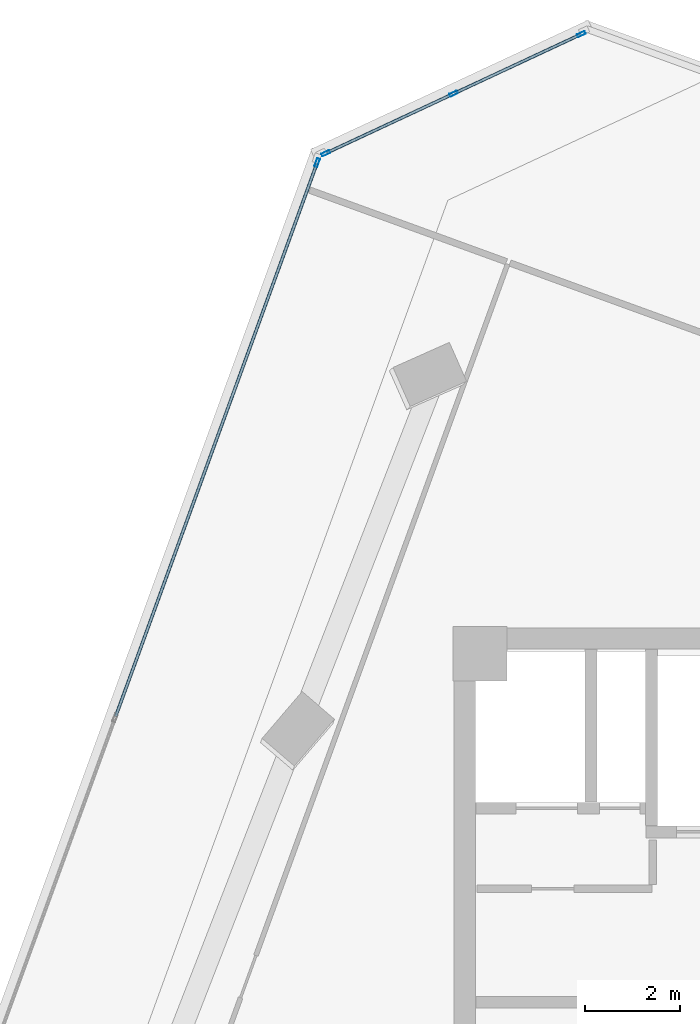
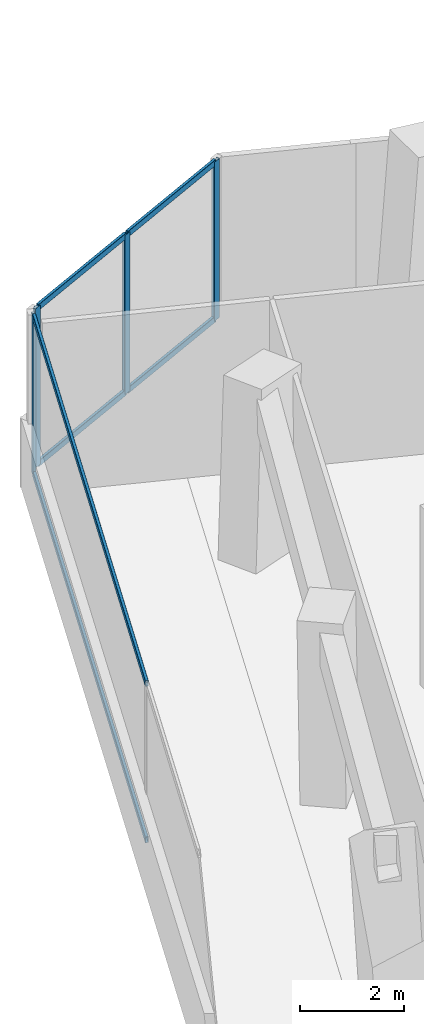
# One storey, part 12 of 21: 10 members, 2 elements without a shape of their own.
"""IFC4 building model written with IfcOpenShell, lengths in metres."""

from ifc_helpers import new_model, si_unit, direction, frame, origin, origin_2d, place, context, subcontext, project, spatial, hollow_rectangle, extrude, source, transform, mapped, material, material_profile, profile_set, type_object, element, aggregate, save


model = new_model("IFC4")

# Units and contexts
model_context = context("Model", 3, precision=1e-05, world=origin(), true_north=direction((0.0, 1.0)))
body_context = subcontext(model_context, "Body", "Model", "MODEL_VIEW")
ifc_project = project(units=[si_unit("LENGTHUNIT", "METRE"), si_unit("AREAUNIT", "SQUARE_METRE"), si_unit("VOLUMEUNIT", "CUBIC_METRE"), si_unit("PLANEANGLEUNIT", "RADIAN"), si_unit("MASSUNIT", "GRAM", prefix="KILO")], contexts=[model_context])

# Site, building, storey
site_placement = place(None, origin())
site = spatial("IfcSite", under=ifc_project, at=site_placement, CompositionType="ELEMENT")
building_placement = place(site_placement, origin())
building = spatial("IfcBuilding", under=site, at=building_placement, Name="Torre Montelarca", CompositionType="ELEMENT")
storey_placement = place(building_placement, frame((0.0, 0.0, 133.0)))
storey = spatial("IfcBuildingStorey", under=building, at=storey_placement, Name="L29", CompositionType="ELEMENT", Elevation=133.0)

# Curtain wall, members
ifc_material_1 = material(Name="Insulated low-E laminated glass", Category="glass")
curtain_wall_type = type_object("IfcCurtainWallType", Name="CW-SYS-Z2", PredefinedType="USERDEFINED", material=ifc_material_1)
curtain_wall_1_placement = place(storey_placement, origin())
curtain_wall_1 = element("IfcCurtainWall", 1, at=curtain_wall_1_placement, inside=storey, type_object=curtain_wall_type, Name="L29 Curtain Wall Run CW-T3-L29-E09-B1", ObjectType="UNITISED GLAZING", PredefinedType="USERDEFINED")
ifc_material_2 = material(Name="Anodised aluminium AA 6063-T6", Category="aluminium")
ifc_material_profile_1 = material_profile(ifc_material_2, hollow_rectangle(XDim=0.06494140625, YDim=0.139892578125, WallThickness=0.00390625, InnerFilletRadius=0.00390625, OuterFilletRadius=0.008056640625, at=origin_2d()), Name="ALU65X140X4", Category="aluminium")
ifc_profile_set_1 = profile_set([ifc_material_profile_1], Name="Anodised aluminium AA 6063-T6")
member_type_1 = type_object("IfcMemberType", Name="CWT-ALU140", PredefinedType="USERDEFINED", material=ifc_profile_set_1)
shared_shape_1 = source(origin(), body_context, "Body", "SweptSolid", [
    extrude(hollow_rectangle(XDim=0.06494140625, YDim=0.139892578125, WallThickness=0.00390625, InnerFilletRadius=0.00390625, OuterFilletRadius=0.008056640625, at=origin_2d()), origin(), (0.0, 0.0, 1.0), 2.91845703125),
])
member_1_placement = place(storey_placement, frame((11.663330078125, 52.54833984375, 0.032470703125), z_axis=(-0.906307055482, -0.422619830561, 0.0), x_axis=(0.422619830561, -0.906307055482, 0.0)))
member_1 = element("IfcMember", 2, at=member_1_placement, type_object=member_type_1, Name="CW transom 1.1", ObjectType="TRANSOM", PredefinedType="USERDEFINED", context=body_context, shape_type="MappedRepresentation", body=[
    mapped(shared_shape_1, transform((0.0, 0.0, 0.0), scale=1.0)),
])
member_2_placement = place(storey_placement, frame((11.663330078125, 52.54833984375, 3.6875), z_axis=(-0.906307055482, -0.422619830561, 0.0), x_axis=(0.422619830561, -0.906307055482, 0.0)))
member_2 = element("IfcMember", 3, at=member_2_placement, type_object=member_type_1, Name="CW transom 1.2", ObjectType="TRANSOM", PredefinedType="USERDEFINED", context=body_context, shape_type="MappedRepresentation", body=[
    mapped(shared_shape_1, transform((0.0, 0.0, 0.0), scale=1.0)),
])
member_3_placement = place(storey_placement, frame((8.959228515625, 51.287353515625, 0.032470703125), z_axis=(-0.906307055482, -0.422619830561, 0.0), x_axis=(0.422619830561, -0.906307055482, 0.0)))
member_3 = element("IfcMember", 4, at=member_3_placement, type_object=member_type_1, Name="CW transom 2.1", ObjectType="TRANSOM", PredefinedType="USERDEFINED", context=body_context, shape_type="MappedRepresentation", body=[
    mapped(shared_shape_1, transform((0.0, 0.0, 0.0), scale=1.0)),
])
member_4_placement = place(storey_placement, frame((8.959228515625, 51.287353515625, 3.6875), z_axis=(-0.906307055482, -0.422619830561, 0.0), x_axis=(0.422619830561, -0.906307055482, 0.0)))
member_4 = element("IfcMember", 5, at=member_4_placement, type_object=member_type_1, Name="CW transom 2.2", ObjectType="TRANSOM", PredefinedType="USERDEFINED", context=body_context, shape_type="MappedRepresentation", body=[
    mapped(shared_shape_1, transform((0.0, 0.0, 0.0), scale=1.0)),
])

curtain_wall_2_placement = place(storey_placement, origin())
curtain_wall_2 = element("IfcCurtainWall", 6, at=curtain_wall_2_placement, inside=storey, type_object=curtain_wall_type, Name="L29 Curtain Wall Run CW-T3-L29-E10-B1", ObjectType="UNITISED GLAZING", PredefinedType="USERDEFINED")
shared_shape_2 = source(origin(), body_context, "Body", "SweptSolid", [
    extrude(hollow_rectangle(XDim=0.06494140625, YDim=0.139892578125, WallThickness=0.00390625, InnerFilletRadius=0.00390625, OuterFilletRadius=0.008056640625, at=origin_2d()), origin(), (0.0, 0.0, 1.0), 12.4365234375),
])
member_5_placement = place(storey_placement, frame((6.09326171875, 49.812744140625, 0.032470703125), z_axis=(-0.342028339507, -0.939689637579, 0.0), x_axis=(0.939689637579, -0.342028339507, 0.0)))
member_5 = element("IfcMember", 7, at=member_5_placement, type_object=member_type_1, Name="CW transom 1.1", ObjectType="TRANSOM", PredefinedType="USERDEFINED", context=body_context, shape_type="MappedRepresentation", body=[
    mapped(shared_shape_2, transform((0.0, 0.0, 0.0), scale=1.0)),
])
member_6_placement = place(storey_placement, frame((6.09326171875, 49.812744140625, 3.6875), z_axis=(-0.342028339507, -0.939689637579, 0.0), x_axis=(0.939689637579, -0.342028339507, 0.0)))
member_6 = element("IfcMember", 8, at=member_6_placement, type_object=member_type_1, Name="CW transom 1.2", ObjectType="TRANSOM", PredefinedType="USERDEFINED", context=body_context, shape_type="MappedRepresentation", body=[
    mapped(shared_shape_2, transform((0.0, 0.0, 0.0), scale=1.0)),
])

# Member
ifc_material_profile_2 = material_profile(ifc_material_2, hollow_rectangle(XDim=0.06494140625, YDim=0.179931640625, WallThickness=0.00390625, InnerFilletRadius=0.00390625, OuterFilletRadius=0.008056640625, at=origin_2d()), Name="ALU65X180X4", Category="aluminium")
ifc_profile_set_2 = profile_set([ifc_material_profile_2], Name="Anodised aluminium AA 6063-T6")
member_type_2 = type_object("IfcMemberType", Name="CWM-ALU180", PredefinedType="MULLION", material=ifc_profile_set_2)
shared_shape_3 = source(origin(), body_context, "Body", "SweptSolid", [
    extrude(hollow_rectangle(XDim=0.06494140625, YDim=0.179931640625, WallThickness=0.00390625, InnerFilletRadius=0.00390625, OuterFilletRadius=0.008056640625, at=origin_2d()), origin(), (0.0, 0.0, 1.0), 3.719970703125),
])
member_7_placement = place(storey_placement, frame((11.69287109375, 52.56201171875, 0.0), z_axis=(0.0, 0.0, 1.0), x_axis=(0.422597755027, -0.906317349192, 0.0)))
member_7 = element("IfcMember", 9, at=member_7_placement, type_object=member_type_2, Name="CW mullion 1", PredefinedType="MULLION", context=body_context, shape_type="MappedRepresentation", body=[
    mapped(shared_shape_3, transform((0.0, 0.0, 0.0), scale=1.0)),
])

member_8_placement = place(storey_placement, frame((8.98876953125, 51.301025390625, 0.0), z_axis=(0.0, 0.0, 1.0), x_axis=(0.422597755027, -0.906317349192, 0.0)))
member_8 = element("IfcMember", 10, at=member_8_placement, type_object=member_type_2, Name="CW mullion 2", PredefinedType="MULLION", context=body_context, shape_type="MappedRepresentation", body=[
    mapped(shared_shape_3, transform((0.0, 0.0, 0.0), scale=1.0)),
])

member_9_placement = place(storey_placement, frame((6.28466796875, 50.040283203125, 0.0), z_axis=(0.0, 0.0, 1.0), x_axis=(0.422597755027, -0.906317349192, 0.0)))
member_9 = element("IfcMember", 11, at=member_9_placement, type_object=member_type_2, Name="CW mullion 3", PredefinedType="MULLION", context=body_context, shape_type="MappedRepresentation", body=[
    mapped(shared_shape_3, transform((0.0, 0.0, 0.0), scale=1.0)),
])

aggregate(curtain_wall_1, [member_7, member_8, member_9, member_1, member_2, member_3, member_4])

member_10_placement = place(storey_placement, frame((6.104248046875, 49.84326171875, 0.0), z_axis=(0.0, 0.0, 1.0), x_axis=(0.939692985234, -0.342019142012, 0.0)))
member_10 = element("IfcMember", 12, at=member_10_placement, type_object=member_type_2, Name="CW mullion 1", PredefinedType="MULLION", context=body_context, shape_type="MappedRepresentation", body=[
    mapped(shared_shape_3, transform((0.0, 0.0, 0.0), scale=1.0)),
])

aggregate(curtain_wall_2, [member_10, member_5, member_6])

save(model, "model.ifc")
